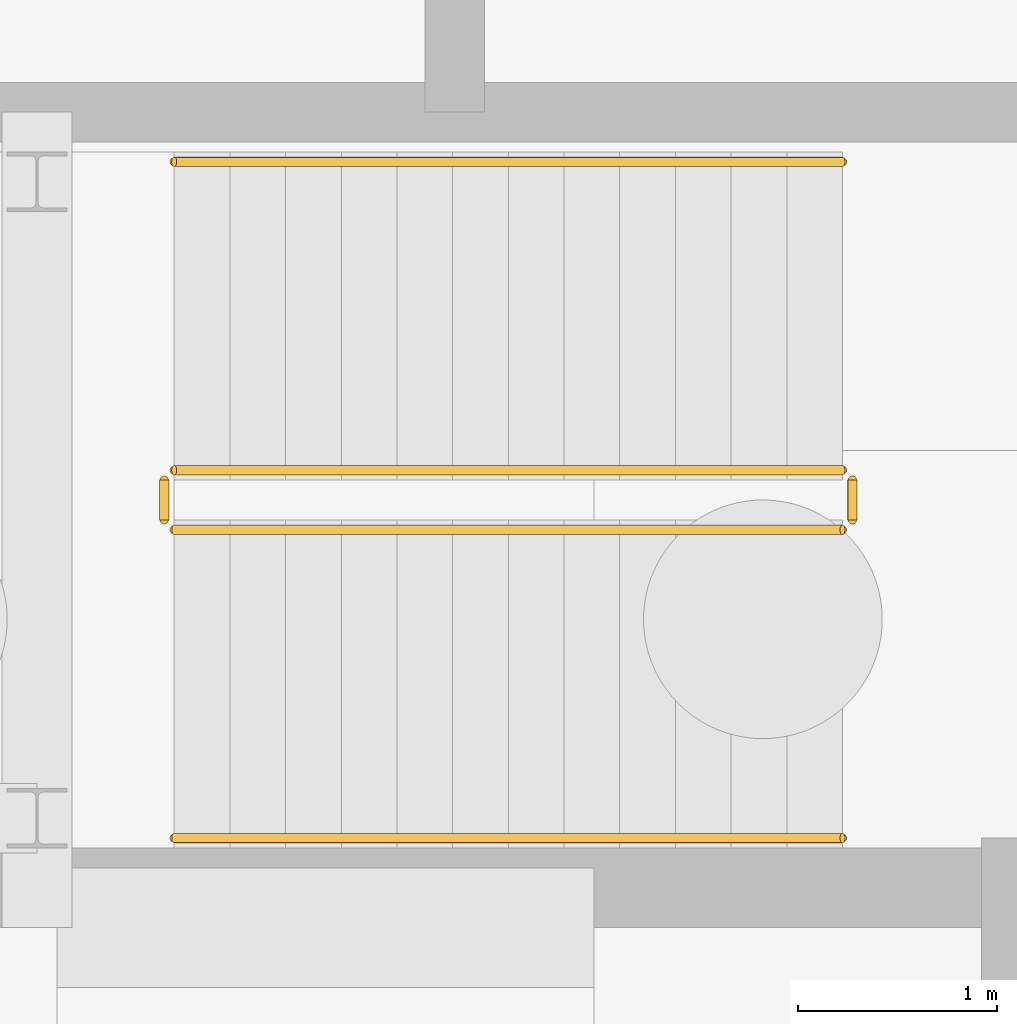
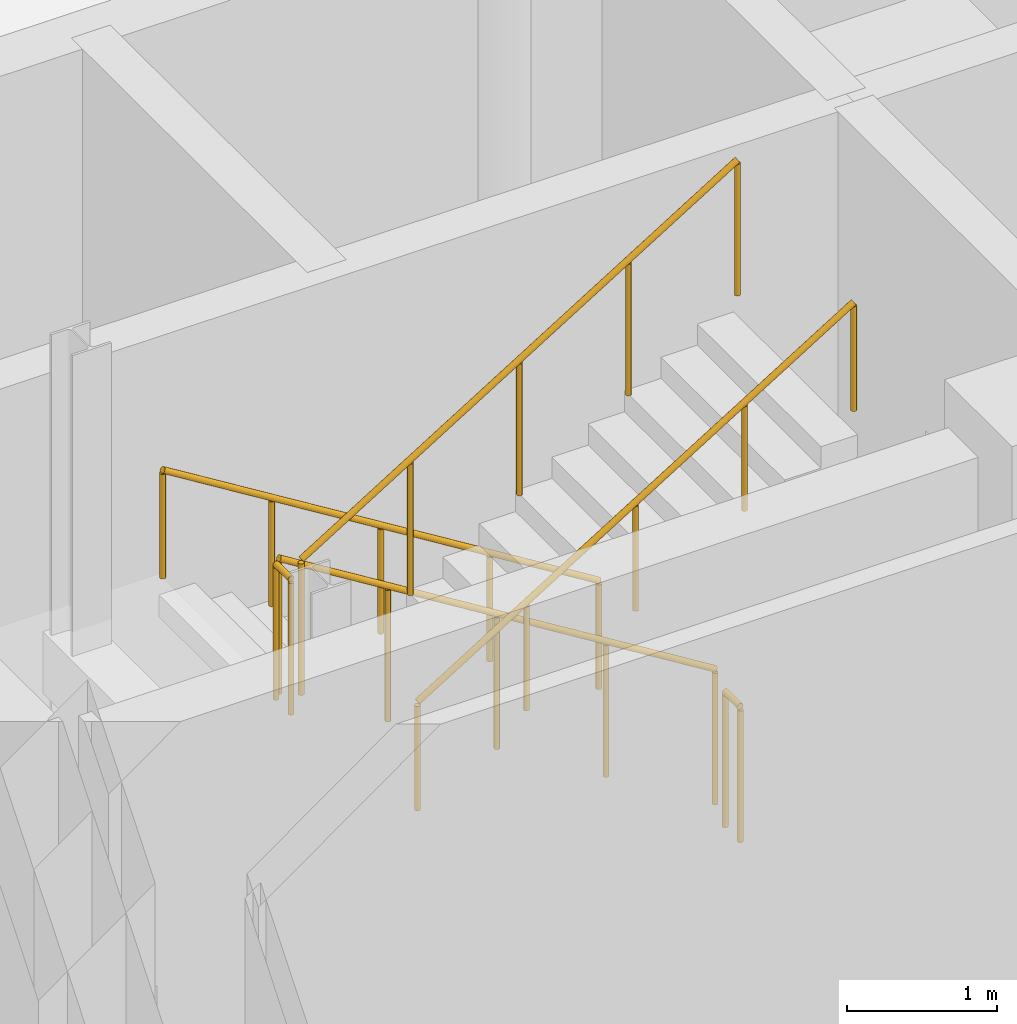
# One storey, part 33 of 42: 6 railings.
"""IFC4 building model written with IfcOpenShell, lengths in metres."""

import ifcopenshell
import ifcopenshell.guid

model = None  # the IFC model being written
_history = None  # IfcOwnerHistory: only IFC2X3 demands one
_inside = {}  # id of a spatial element -> (the spatial element, [elements in it])
_under = {}  # id of a project, library or spatial element -> (it, [spatial elements below it])
_declared = {}  # id of a project -> (the project, [libraries it declares])
_typed = {}  # id of a type object -> (the type object, [elements of that type])
_made_of = {}  # id of a material, layer set ... -> (it, [elements and type objects made of it])


def new_model(schema):
    """Start an empty IFC model of exactly this schema.

    Asked for "IFC4X3", IfcOpenShell would pick the latest addendum, in which some entities
    have other attributes; the version numbers below select the first issue.
    IFC2X3 requires an IfcOwnerHistory on every rooted entity: one is made here for all.
    """
    global model, _history
    if schema == "IFC4X3":
        model = ifcopenshell.file(schema_version=(4, 3, 0, 0))
    else:
        model = ifcopenshell.file(schema=schema)
    _inside.clear()
    _under.clear()
    _declared.clear()
    _typed.clear()
    _made_of.clear()
    _history = None
    if model.schema == "IFC2X3":
        org = make("IfcOrganization", Name="unknown")
        user = make(
            "IfcPersonAndOrganization",
            ThePerson=make("IfcPerson", FamilyName="unknown"),
            TheOrganization=org,
        )
        app = make(
            "IfcApplication",
            ApplicationDeveloper=org,
            Version="unknown",
            ApplicationFullName="unknown",
            ApplicationIdentifier="unknown",
        )
        _history = make(
            "IfcOwnerHistory",
            OwningUser=user,
            OwningApplication=app,
            ChangeAction="ADDED",
            CreationDate=0,
        )
    return model


def make(cls, **values):
    """One entity of the class cls with the attributes given. An attribute that is None is left unset."""
    return model.create_entity(
        cls, **{name: value for name, value in values.items() if value is not None}
    )


def rooted(cls, **values):
    """An entity with a GlobalId (a new one), such as an element, a storey or a relation."""
    return make(cls, GlobalId=ifcopenshell.guid.new(), OwnerHistory=_history, **values)


def si_unit(unit_type, name, prefix=None):
    """IfcSIUnit, for example si_unit("LENGTHUNIT", "METRE", prefix="MILLI")."""
    return make("IfcSIUnit", UnitType=unit_type, Prefix=prefix, Name=name)


def assignment(units):
    """IfcUnitAssignment: the units of a project."""
    return None if units is None else make("IfcUnitAssignment", Units=units)


def point(xyz):
    """IfcCartesianPoint."""
    return None if xyz is None else make("IfcCartesianPoint", Coordinates=xyz)


def direction(xyz):
    """IfcDirection."""
    return None if xyz is None else make("IfcDirection", DirectionRatios=xyz)


def frame(location, z_axis=None, x_axis=None):
    """IfcAxis2Placement3D, a coordinate frame: its origin and axes. An axis left out is left unset."""
    return make(
        "IfcAxis2Placement3D",
        Location=point(location),
        Axis=direction(z_axis),
        RefDirection=direction(x_axis),
    )


def frame_2d(location, x_axis=None):
    """IfcAxis2Placement2D, a coordinate frame in the plane: its origin and x axis."""
    return make(
        "IfcAxis2Placement2D", Location=point(location), RefDirection=direction(x_axis)
    )


def origin():
    """The frame at (0, 0, 0) with its axes left unset."""
    return frame((0.0, 0.0, 0.0))


def origin_2d():
    """The frame at (0, 0) in the plane with its x axis left unset."""
    return frame_2d((0.0, 0.0))


def place(relative_to, where):
    """IfcLocalPlacement: puts the frame where relative to a parent placement (None: the world)."""
    return make(
        "IfcLocalPlacement", PlacementRelTo=relative_to, RelativePlacement=where
    )


def context(
    kind, dimensions, precision=None, world=None, true_north=None, identifier=None
):
    """IfcGeometricRepresentationContext, for example the 3D "Model" context."""
    return make(
        "IfcGeometricRepresentationContext",
        ContextIdentifier=identifier,
        ContextType=kind,
        CoordinateSpaceDimension=dimensions,
        Precision=precision,
        WorldCoordinateSystem=world,
        TrueNorth=true_north,
    )


def subcontext(parent, identifier, kind, view, scale=None):
    """IfcGeometricRepresentationSubContext, for example "Body" below "Model"."""
    return make(
        "IfcGeometricRepresentationSubContext",
        ContextIdentifier=identifier,
        ContextType=kind,
        ParentContext=parent,
        TargetScale=scale,
        TargetView=view,
    )


def project(units=None, contexts=None):
    """IfcProject with its units and contexts."""
    return rooted(
        "IfcProject",
        Name="project",
        RepresentationContexts=contexts,
        UnitsInContext=assignment(units),
    )


def spatial(cls, under=None, at=None, **own):
    """A site, building, storey or space (cls), placed at a placement, below another one or the project."""
    s = rooted(cls, ObjectPlacement=at, **own)
    if under is not None:
        _under.setdefault(under.id(), (under, []))[1].append(s)
    return s


def profile(cls, at=None, kind="AREA", **sizes):
    """A parametric profile (cls). Its sizes go by their IFC names, for example OverallWidth=200.0."""
    return make(cls, ProfileType=kind, Position=at, **sizes)


def circle(**sizes):
    """IfcCircleProfileDef."""
    return profile("IfcCircleProfileDef", **sizes)


def extrude(swept, where, along, depth):
    """IfcExtrudedAreaSolid: the profile swept, set in the frame where, extruded along a direction by depth."""
    return make(
        "IfcExtrudedAreaSolid",
        SweptArea=swept,
        Position=where,
        ExtrudedDirection=direction(along),
        Depth=depth,
    )


def shape(context_of_items, identifier, shape_type, items):
    """IfcShapeRepresentation: the items that make up one representation, for example the "Body"."""
    return make(
        "IfcShapeRepresentation",
        ContextOfItems=context_of_items,
        RepresentationIdentifier=identifier,
        RepresentationType=shape_type,
        Items=items,
    )


def material(Name=None, Category=None):
    """IfcMaterial."""
    return make("IfcMaterial", Name=Name, Category=Category)


def made_of(thing, what):
    """Note that an element or type object is made of a material, layer set ...; save() writes the relation."""
    if what is not None:
        _made_of.setdefault(what.id(), (what, []))[1].append(thing)
    return thing


def type_object(cls, material=None, **own):
    """A type object (cls), such as IfcWallType, which elements share."""
    return made_of(rooted(cls, **own), material)


def element(
    cls,
    number,
    at=None,
    inside=None,
    cuts=None,
    type_object=None,
    material=None,
    context=None,
    identifier="Body",
    shape_type=None,
    held_by="IfcProductDefinitionShape",
    body=None,
    shapes=None,
    **own,
):
    """One element of the class cls, such as IfcWall. Its Tag is "e" and its number.

    at: its placement. inside: the storey or other place that contains it. cuts: it is an
    opening in that element (IfcRelVoidsElement). A single representation is given by context,
    identifier, shape_type and body (its items); several are given by shapes. held_by: the class
    of the entity that holds the representations. save() writes the other relations.
    """
    e = rooted(cls, Tag="e%d" % number, ObjectPlacement=at, **own)
    if body is not None:
        shapes = [shape(context, identifier, shape_type, body)]
    if shapes is not None:
        e.Representation = make(held_by, Representations=shapes)
    if inside is not None:
        _inside.setdefault(inside.id(), (inside, []))[1].append(e)
    if cuts is not None:
        rooted(
            "IfcRelVoidsElement", RelatingBuildingElement=cuts, RelatedOpeningElement=e
        )
    if type_object is not None:
        _typed.setdefault(type_object.id(), (type_object, []))[1].append(e)
    return made_of(e, material)


def aggregate(whole, parts):
    """IfcRelAggregates: a whole, such as a stair, and the parts it consists of."""
    return rooted("IfcRelAggregates", RelatingObject=whole, RelatedObjects=parts)


def save(model, path):
    """Write the relations noted so far, then the file.

    IfcRelAggregates (storeys below a building ...), IfcRelContainedInSpatialStructure (elements
    in a storey), IfcRelDefinesByType, IfcRelAssociatesMaterial and IfcRelDeclares: one each for
    every whole, place, type object, material and project.
    """
    for whole, parts in _under.values():
        aggregate(whole, parts)
    for where, things in _inside.values():
        rooted(
            "IfcRelContainedInSpatialStructure",
            RelatedElements=things,
            RelatingStructure=where,
        )
    for kind, things in _typed.values():
        rooted("IfcRelDefinesByType", RelatedObjects=things, RelatingType=kind)
    for what, things in _made_of.values():
        rooted("IfcRelAssociatesMaterial", RelatedObjects=things, RelatingMaterial=what)
    for by, libraries in _declared.values():
        rooted("IfcRelDeclares", RelatingContext=by, RelatedDefinitions=libraries)
    model.write(path)


model = new_model("IFC4")

# Units and contexts
model_context = context("Model", 3, precision=1e-05, world=origin(), true_north=direction((0.0, 1.0)))
body_context = subcontext(model_context, "Body", "Model", "MODEL_VIEW")
ifc_project = project(units=[si_unit("LENGTHUNIT", "METRE"), si_unit("AREAUNIT", "SQUARE_METRE"), si_unit("VOLUMEUNIT", "CUBIC_METRE"), si_unit("PLANEANGLEUNIT", "RADIAN"), si_unit("MASSUNIT", "GRAM", prefix="KILO")], contexts=[model_context])

# Site, building, storey
site_placement = place(None, origin())
site = spatial("IfcSite", under=ifc_project, at=site_placement, CompositionType="ELEMENT")
building_placement = place(site_placement, origin())
building = spatial("IfcBuilding", under=site, at=building_placement, Name="Dalvernix Boulevard General Hospital", CompositionType="ELEMENT")
storey_placement = place(building_placement, frame((0.0, 0.0, -4.5)))
storey = spatial("IfcBuildingStorey", under=building, at=storey_placement, Name="B1", CompositionType="ELEMENT", Elevation=-4.5)

# Railings
ifc_material_1 = material(Name="Brushed stainless steel balustrade", Category="steel")
railing_type_1 = type_object("IfcRailingType", Name="RL-GR-INT1", PredefinedType="BALUSTRADE", material=ifc_material_1)
railing_1_placement = place(storey_placement, frame((6.35009765625, 9.800048828125, 0.173095703125)))
element("IfcRailing", 1, at=railing_1_placement, inside=storey, type_object=railing_type_1, Name="B1 ST-01 stair guard 1", PredefinedType="BALUSTRADE", context=body_context, shape_type="SweptSolid", body=[
    extrude(circle(Radius=0.02392578125, at=origin_2d()), frame((0.0, 0.0, 1.09619140625), z_axis=(-0.850623216509, 0.0, 0.525775754039), x_axis=(0.0, -1.0, 0.0)), (0.0, 0.0, 1.0), 3.9501953125),
    extrude(circle(Radius=0.02099609375, at=origin_2d()), origin(), (0.0, 0.0, 1.0), 1.072021484375),
    extrude(circle(Radius=0.02099609375, at=origin_2d()), frame((-0.840087890625, 0.0, 0.519287109375)), (0.0, 0.0, 1.0), 1.072021484375),
    extrude(circle(Radius=0.02099609375, at=origin_2d()), frame((-1.68017578125, 0.0, 1.03857421875)), (0.0, 0.0, 1.0), 1.072021484375),
    extrude(circle(Radius=0.02099609375, at=origin_2d()), frame((-2.52001953125, 0.0, 1.5576171875)), (0.0, 0.0, 1.0), 1.072021484375),
    extrude(circle(Radius=0.02099609375, at=origin_2d()), frame((-3.360107421875, 0.0, 2.076904296875)), (0.0, 0.0, 1.0), 1.072021484375),
])
railing_2_placement = place(storey_placement, frame((2.93994140625, 9.75, 2.25)))
element("IfcRailing", 2, at=railing_2_placement, inside=storey, type_object=railing_type_1, Name="B1 ST-01 stair guard 2", PredefinedType="BALUSTRADE", context=body_context, shape_type="SweptSolid", body=[
    extrude(circle(Radius=0.02392578125, at=origin_2d()), frame((0.0, 0.0, 1.09619140625), z_axis=(0.0, -1.0, 0.0), x_axis=(1.0, 0.0, 0.0)), (0.0, 0.0, 1.0), 0.199951171875),
    extrude(circle(Radius=0.02099609375, at=origin_2d()), origin(), (0.0, 0.0, 1.0), 1.072021484375),
    extrude(circle(Radius=0.02099609375, at=origin_2d()), frame((0.0, -0.199951171875, 0.0)), (0.0, 0.0, 1.0), 1.072021484375),
])
railing_3_placement = place(storey_placement, frame((2.989990234375, 9.5, 2.423095703125)))
element("IfcRailing", 3, at=railing_3_placement, inside=storey, type_object=railing_type_1, Name="B1 ST-01 stair guard 3", PredefinedType="BALUSTRADE", context=body_context, shape_type="SweptSolid", body=[
    extrude(circle(Radius=0.02392578125, at=origin_2d()), frame((0.0, 0.0, 1.09619140625), z_axis=(0.850623216509, 0.0, 0.525775754039), x_axis=(0.0, 1.0, 0.0)), (0.0, 0.0, 1.0), 3.9501953125),
    extrude(circle(Radius=0.02099609375, at=origin_2d()), origin(), (0.0, 0.0, 1.0), 1.072021484375),
    extrude(circle(Radius=0.02099609375, at=origin_2d()), frame((0.840087890625, 0.0, 0.519287109375)), (0.0, 0.0, 1.0), 1.072021484375),
    extrude(circle(Radius=0.02099609375, at=origin_2d()), frame((1.68017578125, 0.0, 1.03857421875)), (0.0, 0.0, 1.0), 1.072021484375),
    extrude(circle(Radius=0.02099609375, at=origin_2d()), frame((2.52001953125, 0.0, 1.5576171875)), (0.0, 0.0, 1.0), 1.072021484375),
    extrude(circle(Radius=0.02099609375, at=origin_2d()), frame((3.360107421875, 0.0, 2.076904296875)), (0.0, 0.0, 1.0), 1.072021484375),
])
railing_4_placement = place(storey_placement, frame((6.39990234375, 9.75, 0.0)))
element("IfcRailing", 4, at=railing_4_placement, inside=storey, type_object=railing_type_1, Name="B1 ST-01 stair guard 4", PredefinedType="BALUSTRADE", context=body_context, shape_type="SweptSolid", body=[
    extrude(circle(Radius=0.02392578125, at=origin_2d()), frame((0.0, 0.0, 1.09619140625), z_axis=(0.0, -1.0, 0.0), x_axis=(1.0, 0.0, 0.0)), (0.0, 0.0, 1.0), 0.199951171875),
    extrude(circle(Radius=0.02099609375, at=origin_2d()), origin(), (0.0, 0.0, 1.0), 1.072021484375),
    extrude(circle(Radius=0.02099609375, at=origin_2d()), frame((0.0, -0.199951171875, 0.0)), (0.0, 0.0, 1.0), 1.072021484375),
])
ifc_material_2 = material(Name="Brushed stainless steel wall handrail", Category="steel")
railing_type_2 = type_object("IfcRailingType", Name="RL-HR-INT1", PredefinedType="HANDRAIL", material=ifc_material_2)
railing_5_placement = place(storey_placement, frame((6.35009765625, 11.35009765625, 0.173095703125)))
element("IfcRailing", 5, at=railing_5_placement, inside=storey, type_object=railing_type_2, Name="B1 ST-01 stair handrail 1", PredefinedType="HANDRAIL", context=body_context, shape_type="SweptSolid", body=[
    extrude(circle(Radius=0.02392578125, at=origin_2d()), frame((0.0, 0.0, 0.8759765625), z_axis=(-0.850623216509, 0.0, 0.525775754039), x_axis=(0.0, -1.0, 0.0)), (0.0, 0.0, 1.0), 3.9501953125),
    extrude(circle(Radius=0.02099609375, at=origin_2d()), origin(), (0.0, 0.0, 1.0), 0.851806640625),
    extrude(circle(Radius=0.02099609375, at=origin_2d()), frame((-0.840087890625, 0.0, 0.519287109375)), (0.0, 0.0, 1.0), 0.851806640625),
    extrude(circle(Radius=0.02099609375, at=origin_2d()), frame((-1.68017578125, 0.0, 1.03857421875)), (0.0, 0.0, 1.0), 0.851806640625),
    extrude(circle(Radius=0.02099609375, at=origin_2d()), frame((-2.52001953125, 0.0, 1.5576171875)), (0.0, 0.0, 1.0), 0.851806640625),
    extrude(circle(Radius=0.02099609375, at=origin_2d()), frame((-3.360107421875, 0.0, 2.076904296875)), (0.0, 0.0, 1.0), 0.851806640625),
])
railing_6_placement = place(storey_placement, frame((2.989990234375, 7.949951171875, 2.423095703125)))
element("IfcRailing", 6, at=railing_6_placement, inside=storey, type_object=railing_type_2, Name="B1 ST-01 stair handrail 2", PredefinedType="HANDRAIL", context=body_context, shape_type="SweptSolid", body=[
    extrude(circle(Radius=0.02392578125, at=origin_2d()), frame((0.0, 0.0, 0.8759765625), z_axis=(0.850623216509, 0.0, 0.525775754039), x_axis=(0.0, 1.0, 0.0)), (0.0, 0.0, 1.0), 3.9501953125),
    extrude(circle(Radius=0.02099609375, at=origin_2d()), origin(), (0.0, 0.0, 1.0), 0.851806640625),
    extrude(circle(Radius=0.02099609375, at=origin_2d()), frame((0.840087890625, 0.0, 0.519287109375)), (0.0, 0.0, 1.0), 0.851806640625),
    extrude(circle(Radius=0.02099609375, at=origin_2d()), frame((1.68017578125, 0.0, 1.03857421875)), (0.0, 0.0, 1.0), 0.851806640625),
    extrude(circle(Radius=0.02099609375, at=origin_2d()), frame((2.52001953125, 0.0, 1.5576171875)), (0.0, 0.0, 1.0), 0.851806640625),
    extrude(circle(Radius=0.02099609375, at=origin_2d()), frame((3.360107421875, 0.0, 2.076904296875)), (0.0, 0.0, 1.0), 0.851806640625),
])

save(model, "model.ifc")
